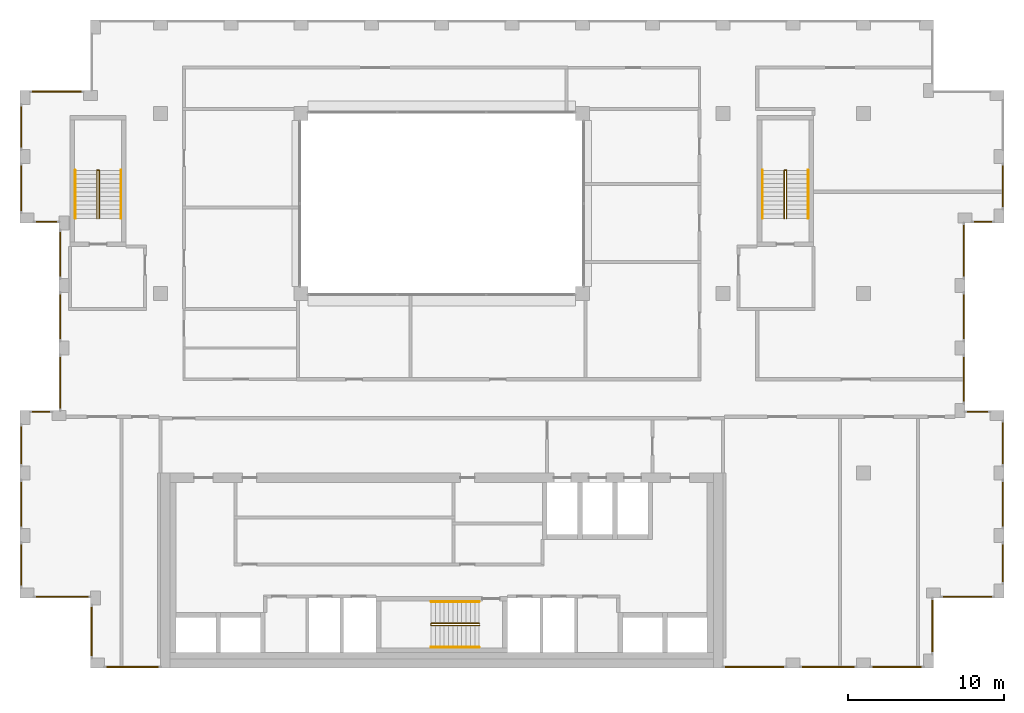
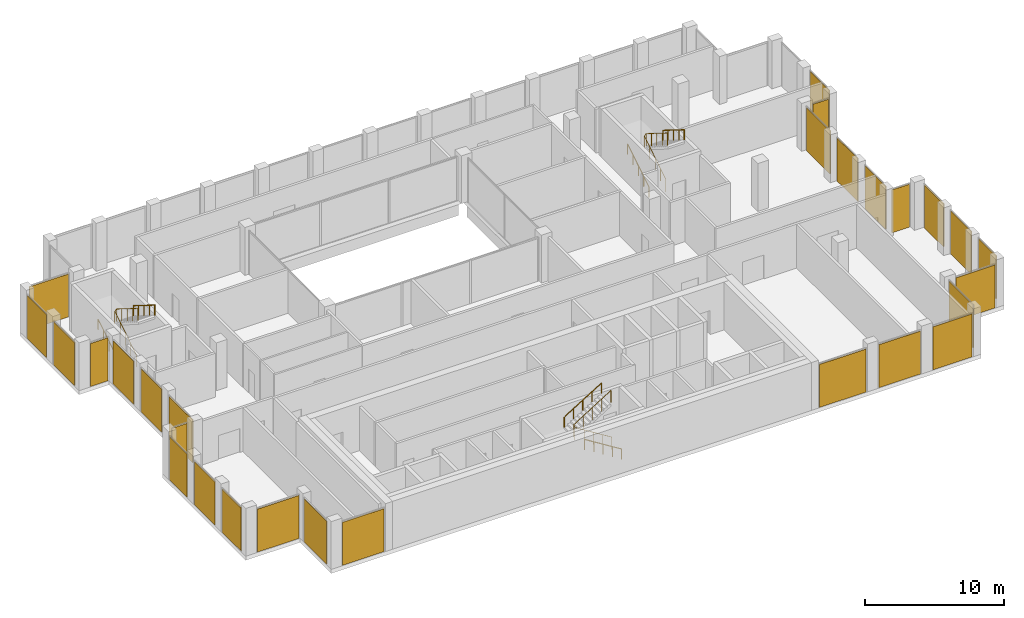
# One storey, part 14 of 15: 28 shading devices, 9 railings, 28 elements without a shape of their own.
"""IFC4 building model written with IfcOpenShell, lengths in metres."""

from ifc_helpers import new_model, si_unit, direction, frame, origin, origin_2d, place, context, subcontext, project, spatial, rectangle, circle, extrude, material, layer, layer_set, type_object, element, aggregate, save


model = new_model("IFC4")

# Units and contexts
model_context = context("Model", 3, precision=1e-05, world=origin(), true_north=direction((0.0, 1.0)))
body_context = subcontext(model_context, "Body", "Model", "MODEL_VIEW")
ifc_project = project(units=[si_unit("LENGTHUNIT", "METRE"), si_unit("AREAUNIT", "SQUARE_METRE"), si_unit("VOLUMEUNIT", "CUBIC_METRE"), si_unit("PLANEANGLEUNIT", "RADIAN"), si_unit("MASSUNIT", "GRAM", prefix="KILO")], contexts=[model_context])

# Site, building, storey
site_placement = place(None, origin())
site = spatial("IfcSite", under=ifc_project, at=site_placement, CompositionType="ELEMENT")
building_placement = place(site_placement, origin())
building = spatial("IfcBuilding", under=site, at=building_placement, Name="Brigalow Station Residences", CompositionType="ELEMENT")
storey_placement = place(building_placement, frame((0.0, 0.0, 235.800048828125)))
storey = spatial("IfcBuildingStorey", under=building, at=storey_placement, Name="L68", CompositionType="ELEMENT", Elevation=235.800048828125)

# Curtain wall, shading device
ifc_material_1 = material(Name="Aluminium", Category="aluminium")
ifc_layer_1 = layer(ifc_material_1, 0.14990234375)
ifc_layer_set_1 = layer_set([ifc_layer_1], Name="CROWN CURTAIN WALL")
curtain_wall_type = type_object("IfcCurtainWallType", Name="CROWN CURTAIN WALL", PredefinedType="NOTDEFINED", material=ifc_layer_set_1)
curtain_wall_1_placement = place(storey_placement, origin())
curtain_wall_1 = element("IfcCurtainWall", 1, at=curtain_wall_1_placement, inside=storey, type_object=curtain_wall_type, Name="L68/cw/crown-W-L68-1-1", PredefinedType="NOTDEFINED")
ifc_material_2 = material(Name="Aluminium louvre blade", Category="aluminium")
ifc_layer_2 = layer(ifc_material_2, 0.074951171875)
ifc_layer_set_2 = layer_set([ifc_layer_2], Name="CROWN LOUVRE BAND 75")
shading_device_type = type_object("IfcShadingDeviceType", Name="CROWN LOUVRE BAND 75", PredefinedType="JALOUSIE", material=ifc_layer_set_2)
shading_device_1_placement = place(storey_placement, frame((16.199951171875, 0.074951171875, 0.0), z_axis=(0.0, 0.0, 1.0), x_axis=(1.0, 0.0, 0.0)))
shading_device_1 = element("IfcShadingDevice", 2, at=shading_device_1_placement, type_object=shading_device_type, Name="LOUVRE BAND crown-W-L68-1-1", PredefinedType="JALOUSIE", context=body_context, shape_type="SweptSolid", body=[
    extrude(rectangle(XDim=3.449951171875, YDim=0.074951171875, at=origin_2d()), origin(), (0.0, 0.0, 1.0), 3.77490234375),
])
aggregate(curtain_wall_1, [shading_device_1])

curtain_wall_2_placement = place(storey_placement, origin())
curtain_wall_2 = element("IfcCurtainWall", 3, at=curtain_wall_2_placement, inside=storey, type_object=curtain_wall_type, Name="L68/cw/crown-W-L68-3-2", PredefinedType="NOTDEFINED")
shading_device_2_placement = place(storey_placement, frame((56.02490234375, 0.074951171875, 0.0), z_axis=(0.0, 0.0, 1.0), x_axis=(1.0, 0.0, 0.0)))
shading_device_2 = element("IfcShadingDevice", 4, at=shading_device_2_placement, type_object=shading_device_type, Name="LOUVRE BAND crown-W-L68-3-2", PredefinedType="JALOUSIE", context=body_context, shape_type="SweptSolid", body=[
    extrude(rectangle(XDim=3.89990234375, YDim=0.074951171875, at=origin_2d()), origin(), (0.0, 0.0, 1.0), 3.77490234375),
])
aggregate(curtain_wall_2, [shading_device_2])

curtain_wall_3_placement = place(storey_placement, origin())
curtain_wall_3 = element("IfcCurtainWall", 5, at=curtain_wall_3_placement, inside=storey, type_object=curtain_wall_type, Name="L68/cw/crown-W-L68-3-3", PredefinedType="NOTDEFINED")
shading_device_3_placement = place(storey_placement, frame((60.75, 0.074951171875, 0.0), z_axis=(0.0, 0.0, 1.0), x_axis=(1.0, 0.0, 0.0)))
shading_device_3 = element("IfcShadingDevice", 6, at=shading_device_3_placement, type_object=shading_device_type, Name="LOUVRE BAND crown-W-L68-3-3", PredefinedType="JALOUSIE", context=body_context, shape_type="SweptSolid", body=[
    extrude(rectangle(XDim=3.449951171875, YDim=0.074951171875, at=origin_2d()), origin(), (0.0, 0.0, 1.0), 3.77490234375),
])
aggregate(curtain_wall_3, [shading_device_3])

curtain_wall_4_placement = place(storey_placement, origin())
curtain_wall_4 = element("IfcCurtainWall", 7, at=curtain_wall_4_placement, inside=storey, type_object=curtain_wall_type, Name="L68/cw/crown-W-L68-3-4", PredefinedType="NOTDEFINED")
shading_device_4_placement = place(storey_placement, frame((65.14990234375, 0.074951171875, 0.0), z_axis=(0.0, 0.0, 1.0), x_axis=(1.0, 0.0, 0.0)))
shading_device_4 = element("IfcShadingDevice", 8, at=shading_device_4_placement, type_object=shading_device_type, Name="LOUVRE BAND crown-W-L68-3-4", PredefinedType="JALOUSIE", context=body_context, shape_type="SweptSolid", body=[
    extrude(rectangle(XDim=3.25, YDim=0.074951171875, at=origin_2d()), origin(), (0.0, 0.0, 1.0), 3.77490234375),
])
aggregate(curtain_wall_4, [shading_device_4])

curtain_wall_5_placement = place(storey_placement, origin())
curtain_wall_5 = element("IfcCurtainWall", 9, at=curtain_wall_5_placement, inside=storey, type_object=curtain_wall_type, Name="L68/cw/crown-W-L68-6-5", PredefinedType="NOTDEFINED")
shading_device_5_placement = place(storey_placement, frame((67.425048828125, 2.699951171875, 0.0), z_axis=(0.0, 0.0, 1.0), x_axis=(0.0, 1.0, 0.0)))
shading_device_5 = element("IfcShadingDevice", 10, at=shading_device_5_placement, type_object=shading_device_type, Name="LOUVRE BAND crown-W-L68-6-5", PredefinedType="JALOUSIE", context=body_context, shape_type="SweptSolid", body=[
    extrude(rectangle(XDim=3.449951171875, YDim=0.074951171875, at=origin_2d()), origin(), (0.0, 0.0, 1.0), 3.77490234375),
])
aggregate(curtain_wall_5, [shading_device_5])

curtain_wall_6_placement = place(storey_placement, origin())
curtain_wall_6 = element("IfcCurtainWall", 11, at=curtain_wall_6_placement, inside=storey, type_object=curtain_wall_type, Name="L68/cw/crown-W-L68-7-6", PredefinedType="NOTDEFINED")
shading_device_6_placement = place(storey_placement, frame((69.64990234375, 4.574951171875, 0.0), z_axis=(0.0, 0.0, 1.0), x_axis=(1.0, 0.0, 0.0)))
shading_device_6 = element("IfcShadingDevice", 12, at=shading_device_6_placement, type_object=shading_device_type, Name="LOUVRE BAND crown-W-L68-7-6", PredefinedType="JALOUSIE", context=body_context, shape_type="SweptSolid", body=[
    extrude(rectangle(XDim=3.25, YDim=0.074951171875, at=origin_2d()), origin(), (0.0, 0.0, 1.0), 3.77490234375),
])
aggregate(curtain_wall_6, [shading_device_6])

curtain_wall_7_placement = place(storey_placement, origin())
curtain_wall_7 = element("IfcCurtainWall", 13, at=curtain_wall_7_placement, inside=storey, type_object=curtain_wall_type, Name="L68/cw/crown-W-L68-8-7", PredefinedType="NOTDEFINED")
shading_device_7_placement = place(storey_placement, frame((71.925048828125, 6.72509765625, 0.0), z_axis=(0.0, 0.0, 1.0), x_axis=(0.0, 1.0, 0.0)))
shading_device_7 = element("IfcShadingDevice", 14, at=shading_device_7_placement, type_object=shading_device_type, Name="LOUVRE BAND crown-W-L68-8-7", PredefinedType="JALOUSIE", context=body_context, shape_type="SweptSolid", body=[
    extrude(rectangle(XDim=2.5, YDim=0.074951171875, at=origin_2d()), origin(), (0.0, 0.0, 1.0), 3.77490234375),
])
aggregate(curtain_wall_7, [shading_device_7])

curtain_wall_8_placement = place(storey_placement, origin())
curtain_wall_8 = element("IfcCurtainWall", 15, at=curtain_wall_8_placement, inside=storey, type_object=curtain_wall_type, Name="L68/cw/crown-W-L68-8-8", PredefinedType="NOTDEFINED")
shading_device_8_placement = place(storey_placement, frame((71.925048828125, 10.5, 0.0), z_axis=(0.0, 0.0, 1.0), x_axis=(0.0, 1.0, 0.0)))
shading_device_8 = element("IfcShadingDevice", 16, at=shading_device_8_placement, type_object=shading_device_type, Name="LOUVRE BAND crown-W-L68-8-8", PredefinedType="JALOUSIE", context=body_context, shape_type="SweptSolid", body=[
    extrude(rectangle(XDim=2.949951171875, YDim=0.074951171875, at=origin_2d()), origin(), (0.0, 0.0, 1.0), 3.77490234375),
])
aggregate(curtain_wall_8, [shading_device_8])

curtain_wall_9_placement = place(storey_placement, origin())
curtain_wall_9 = element("IfcCurtainWall", 17, at=curtain_wall_9_placement, inside=storey, type_object=curtain_wall_type, Name="L68/cw/crown-W-L68-8-9", PredefinedType="NOTDEFINED")
shading_device_9_placement = place(storey_placement, frame((71.925048828125, 14.39990234375, 0.0), z_axis=(0.0, 0.0, 1.0), x_axis=(0.0, 1.0, 0.0)))
shading_device_9 = element("IfcShadingDevice", 18, at=shading_device_9_placement, type_object=shading_device_type, Name="LOUVRE BAND crown-W-L68-8-9", PredefinedType="JALOUSIE", context=body_context, shape_type="SweptSolid", body=[
    extrude(rectangle(XDim=2.75, YDim=0.074951171875, at=origin_2d()), origin(), (0.0, 0.0, 1.0), 3.77490234375),
])
aggregate(curtain_wall_9, [shading_device_9])

curtain_wall_10_placement = place(storey_placement, origin())
curtain_wall_10 = element("IfcCurtainWall", 19, at=curtain_wall_10_placement, inside=storey, type_object=curtain_wall_type, Name="L68/cw/crown-W-L68-11-10", PredefinedType="NOTDEFINED")
shading_device_10_placement = place(storey_placement, frame((70.300048828125, 16.425048828125, 0.0), z_axis=(0.0, 0.0, 1.0), x_axis=(-1.0, 0.0, 0.0)))
shading_device_10 = element("IfcShadingDevice", 20, at=shading_device_10_placement, type_object=shading_device_type, Name="LOUVRE BAND crown-W-L68-11-10", PredefinedType="JALOUSIE", context=body_context, shape_type="SweptSolid", body=[
    extrude(rectangle(XDim=1.449951171875, YDim=0.074951171875, at=origin_2d()), origin(), (0.0, 0.0, 1.0), 3.77490234375),
])
aggregate(curtain_wall_10, [shading_device_10])

curtain_wall_11_placement = place(storey_placement, origin())
curtain_wall_11 = element("IfcCurtainWall", 21, at=curtain_wall_11_placement, inside=storey, type_object=curtain_wall_type, Name="L68/cw/crown-W-L68-12-11", PredefinedType="NOTDEFINED")
shading_device_11_placement = place(storey_placement, frame((69.425048828125, 18.5, 0.0), z_axis=(0.0, 0.0, 1.0), x_axis=(0.0, 1.0, 0.0)))
shading_device_11 = element("IfcShadingDevice", 22, at=shading_device_11_placement, type_object=shading_device_type, Name="LOUVRE BAND crown-W-L68-12-11", PredefinedType="JALOUSIE", context=body_context, shape_type="SweptSolid", body=[
    extrude(rectangle(XDim=2.949951171875, YDim=0.074951171875, at=origin_2d()), origin(), (0.0, 0.0, 1.0), 3.77490234375),
])
aggregate(curtain_wall_11, [shading_device_11])

curtain_wall_12_placement = place(storey_placement, origin())
curtain_wall_12 = element("IfcCurtainWall", 23, at=curtain_wall_12_placement, inside=storey, type_object=curtain_wall_type, Name="L68/cw/crown-W-L68-12-12", PredefinedType="NOTDEFINED")
shading_device_12_placement = place(storey_placement, frame((69.425048828125, 22.5, 0.0), z_axis=(0.0, 0.0, 1.0), x_axis=(0.0, 1.0, 0.0)))
shading_device_12 = element("IfcShadingDevice", 24, at=shading_device_12_placement, type_object=shading_device_type, Name="LOUVRE BAND crown-W-L68-12-12", PredefinedType="JALOUSIE", context=body_context, shape_type="SweptSolid", body=[
    extrude(rectangle(XDim=2.949951171875, YDim=0.074951171875, at=origin_2d()), origin(), (0.0, 0.0, 1.0), 3.77490234375),
])
aggregate(curtain_wall_12, [shading_device_12])

curtain_wall_13_placement = place(storey_placement, origin())
curtain_wall_13 = element("IfcCurtainWall", 25, at=curtain_wall_13_placement, inside=storey, type_object=curtain_wall_type, Name="L68/cw/crown-W-L68-12-13", PredefinedType="NOTDEFINED")
shading_device_13_placement = place(storey_placement, frame((69.425048828125, 26.72509765625, 0.0), z_axis=(0.0, 0.0, 1.0), x_axis=(0.0, 1.0, 0.0)))
shading_device_13 = element("IfcShadingDevice", 26, at=shading_device_13_placement, type_object=shading_device_type, Name="LOUVRE BAND crown-W-L68-12-13", PredefinedType="JALOUSIE", context=body_context, shape_type="SweptSolid", body=[
    extrude(rectangle(XDim=3.39990234375, YDim=0.074951171875, at=origin_2d()), origin(), (0.0, 0.0, 1.0), 3.77490234375),
])
aggregate(curtain_wall_13, [shading_device_13])

curtain_wall_14_placement = place(storey_placement, origin())
curtain_wall_14 = element("IfcCurtainWall", 27, at=curtain_wall_14_placement, inside=storey, type_object=curtain_wall_type, Name="L68/cw/crown-W-L68-15-14", PredefinedType="NOTDEFINED")
shading_device_14_placement = place(storey_placement, frame((70.64990234375, 28.574951171875, 0.0), z_axis=(0.0, 0.0, 1.0), x_axis=(1.0, 0.0, 0.0)))
shading_device_14 = element("IfcShadingDevice", 28, at=shading_device_14_placement, type_object=shading_device_type, Name="LOUVRE BAND crown-W-L68-15-14", PredefinedType="JALOUSIE", context=body_context, shape_type="SweptSolid", body=[
    extrude(rectangle(XDim=1.25, YDim=0.074951171875, at=origin_2d()), origin(), (0.0, 0.0, 1.0), 3.77490234375),
])
aggregate(curtain_wall_14, [shading_device_14])

curtain_wall_15_placement = place(storey_placement, origin())
curtain_wall_15 = element("IfcCurtainWall", 29, at=curtain_wall_15_placement, inside=storey, type_object=curtain_wall_type, Name="L68/cw/crown-W-L68-16-15", PredefinedType="NOTDEFINED")
shading_device_15_placement = place(storey_placement, frame((71.925048828125, 30.85009765625, 0.0), z_axis=(0.0, 0.0, 1.0), x_axis=(0.0, 1.0, 0.0)))
shading_device_15 = element("IfcShadingDevice", 30, at=shading_device_15_placement, type_object=shading_device_type, Name="LOUVRE BAND crown-W-L68-16-15", PredefinedType="JALOUSIE", context=body_context, shape_type="SweptSolid", body=[
    extrude(rectangle(XDim=2.75, YDim=0.074951171875, at=origin_2d()), origin(), (0.0, 0.0, 1.0), 3.77490234375),
])
aggregate(curtain_wall_15, [shading_device_15])

curtain_wall_16_placement = place(storey_placement, origin())
curtain_wall_16 = element("IfcCurtainWall", 31, at=curtain_wall_16_placement, inside=storey, type_object=curtain_wall_type, Name="L68/cw/crown-W-L68-33-32", PredefinedType="NOTDEFINED")
shading_device_16_placement = place(storey_placement, frame((11.35009765625, 36.925048828125, 0.0), z_axis=(0.0, 0.0, 1.0), x_axis=(-1.0, 0.0, 0.0)))
shading_device_16 = element("IfcShadingDevice", 32, at=shading_device_16_placement, type_object=shading_device_type, Name="LOUVRE BAND crown-W-L68-33-32", PredefinedType="JALOUSIE", context=body_context, shape_type="SweptSolid", body=[
    extrude(rectangle(XDim=3.25, YDim=0.074951171875, at=origin_2d()), origin(), (0.0, 0.0, 1.0), 3.77490234375),
])
aggregate(curtain_wall_16, [shading_device_16])

curtain_wall_17_placement = place(storey_placement, origin())
curtain_wall_17 = element("IfcCurtainWall", 33, at=curtain_wall_17_placement, inside=storey, type_object=curtain_wall_type, Name="L68/cw/crown-W-L68-34-33", PredefinedType="NOTDEFINED")
shading_device_17_placement = place(storey_placement, frame((9.074951171875, 34.64990234375, 0.0), z_axis=(0.0, 0.0, 1.0), x_axis=(0.0, -1.0, 0.0)))
shading_device_17 = element("IfcShadingDevice", 34, at=shading_device_17_placement, type_object=shading_device_type, Name="LOUVRE BAND crown-W-L68-34-33", PredefinedType="JALOUSIE", context=body_context, shape_type="SweptSolid", body=[
    extrude(rectangle(XDim=2.75, YDim=0.074951171875, at=origin_2d()), origin(), (0.0, 0.0, 1.0), 3.77490234375),
])
aggregate(curtain_wall_17, [shading_device_17])

curtain_wall_18_placement = place(storey_placement, origin())
curtain_wall_18 = element("IfcCurtainWall", 35, at=curtain_wall_18_placement, inside=storey, type_object=curtain_wall_type, Name="L68/cw/crown-W-L68-34-34", PredefinedType="NOTDEFINED")
shading_device_18_placement = place(storey_placement, frame((9.074951171875, 30.72509765625, 0.0), z_axis=(0.0, 0.0, 1.0), x_axis=(0.0, -1.0, 0.0)))
shading_device_18 = element("IfcShadingDevice", 36, at=shading_device_18_placement, type_object=shading_device_type, Name="LOUVRE BAND crown-W-L68-34-34", PredefinedType="JALOUSIE", context=body_context, shape_type="SweptSolid", body=[
    extrude(rectangle(XDim=3.0, YDim=0.074951171875, at=origin_2d()), origin(), (0.0, 0.0, 1.0), 3.77490234375),
])
aggregate(curtain_wall_18, [shading_device_18])

curtain_wall_19_placement = place(storey_placement, origin())
curtain_wall_19 = element("IfcCurtainWall", 37, at=curtain_wall_19_placement, inside=storey, type_object=curtain_wall_type, Name="L68/cw/crown-W-L68-36-35", PredefinedType="NOTDEFINED")
shading_device_19_placement = place(storey_placement, frame((10.699951171875, 28.574951171875, 0.0), z_axis=(0.0, 0.0, 1.0), x_axis=(1.0, 0.0, 0.0)))
shading_device_19 = element("IfcShadingDevice", 38, at=shading_device_19_placement, type_object=shading_device_type, Name="LOUVRE BAND crown-W-L68-36-35", PredefinedType="JALOUSIE", context=body_context, shape_type="SweptSolid", body=[
    extrude(rectangle(XDim=1.449951171875, YDim=0.074951171875, at=origin_2d()), origin(), (0.0, 0.0, 1.0), 3.77490234375),
])
aggregate(curtain_wall_19, [shading_device_19])

curtain_wall_20_placement = place(storey_placement, origin())
curtain_wall_20 = element("IfcCurtainWall", 39, at=curtain_wall_20_placement, inside=storey, type_object=curtain_wall_type, Name="L68/cw/crown-W-L68-37-36", PredefinedType="NOTDEFINED")
shading_device_20_placement = place(storey_placement, frame((11.574951171875, 26.5, 0.0), z_axis=(0.0, 0.0, 1.0), x_axis=(0.0, -1.0, 0.0)))
shading_device_20 = element("IfcShadingDevice", 40, at=shading_device_20_placement, type_object=shading_device_type, Name="LOUVRE BAND crown-W-L68-37-36", PredefinedType="JALOUSIE", context=body_context, shape_type="SweptSolid", body=[
    extrude(rectangle(XDim=2.949951171875, YDim=0.074951171875, at=origin_2d()), origin(), (0.0, 0.0, 1.0), 3.77490234375),
])
aggregate(curtain_wall_20, [shading_device_20])

curtain_wall_21_placement = place(storey_placement, origin())
curtain_wall_21 = element("IfcCurtainWall", 41, at=curtain_wall_21_placement, inside=storey, type_object=curtain_wall_type, Name="L68/cw/crown-W-L68-37-37", PredefinedType="NOTDEFINED")
shading_device_21_placement = place(storey_placement, frame((11.574951171875, 22.5, 0.0), z_axis=(0.0, 0.0, 1.0), x_axis=(0.0, -1.0, 0.0)))
shading_device_21 = element("IfcShadingDevice", 42, at=shading_device_21_placement, type_object=shading_device_type, Name="LOUVRE BAND crown-W-L68-37-37", PredefinedType="JALOUSIE", context=body_context, shape_type="SweptSolid", body=[
    extrude(rectangle(XDim=2.949951171875, YDim=0.074951171875, at=origin_2d()), origin(), (0.0, 0.0, 1.0), 3.77490234375),
])
aggregate(curtain_wall_21, [shading_device_21])

curtain_wall_22_placement = place(storey_placement, origin())
curtain_wall_22 = element("IfcCurtainWall", 43, at=curtain_wall_22_placement, inside=storey, type_object=curtain_wall_type, Name="L68/cw/crown-W-L68-37-38", PredefinedType="NOTDEFINED")
shading_device_22_placement = place(storey_placement, frame((11.574951171875, 18.27490234375, 0.0), z_axis=(0.0, 0.0, 1.0), x_axis=(0.0, -1.0, 0.0)))
shading_device_22 = element("IfcShadingDevice", 44, at=shading_device_22_placement, type_object=shading_device_type, Name="LOUVRE BAND crown-W-L68-37-38", PredefinedType="JALOUSIE", context=body_context, shape_type="SweptSolid", body=[
    extrude(rectangle(XDim=3.39990234375, YDim=0.074951171875, at=origin_2d()), origin(), (0.0, 0.0, 1.0), 3.77490234375),
])
aggregate(curtain_wall_22, [shading_device_22])

curtain_wall_23_placement = place(storey_placement, origin())
curtain_wall_23 = element("IfcCurtainWall", 45, at=curtain_wall_23_placement, inside=storey, type_object=curtain_wall_type, Name="L68/cw/crown-W-L68-40-39", PredefinedType="NOTDEFINED")
shading_device_23_placement = place(storey_placement, frame((10.35009765625, 16.425048828125, 0.0), z_axis=(0.0, 0.0, 1.0), x_axis=(-1.0, 0.0, 0.0)))
shading_device_23 = element("IfcShadingDevice", 46, at=shading_device_23_placement, type_object=shading_device_type, Name="LOUVRE BAND crown-W-L68-40-39", PredefinedType="JALOUSIE", context=body_context, shape_type="SweptSolid", body=[
    extrude(rectangle(XDim=1.25, YDim=0.074951171875, at=origin_2d()), origin(), (0.0, 0.0, 1.0), 3.77490234375),
])
aggregate(curtain_wall_23, [shading_device_23])

curtain_wall_24_placement = place(storey_placement, origin())
curtain_wall_24 = element("IfcCurtainWall", 47, at=curtain_wall_24_placement, inside=storey, type_object=curtain_wall_type, Name="L68/cw/crown-W-L68-41-40", PredefinedType="NOTDEFINED")
shading_device_24_placement = place(storey_placement, frame((9.074951171875, 14.27490234375, 0.0), z_axis=(0.0, 0.0, 1.0), x_axis=(0.0, -1.0, 0.0)))
shading_device_24 = element("IfcShadingDevice", 48, at=shading_device_24_placement, type_object=shading_device_type, Name="LOUVRE BAND crown-W-L68-41-40", PredefinedType="JALOUSIE", context=body_context, shape_type="SweptSolid", body=[
    extrude(rectangle(XDim=2.5, YDim=0.074951171875, at=origin_2d()), origin(), (0.0, 0.0, 1.0), 3.77490234375),
])
aggregate(curtain_wall_24, [shading_device_24])

curtain_wall_25_placement = place(storey_placement, origin())
curtain_wall_25 = element("IfcCurtainWall", 49, at=curtain_wall_25_placement, inside=storey, type_object=curtain_wall_type, Name="L68/cw/crown-W-L68-41-41", PredefinedType="NOTDEFINED")
shading_device_25_placement = place(storey_placement, frame((9.074951171875, 10.5, 0.0), z_axis=(0.0, 0.0, 1.0), x_axis=(0.0, -1.0, 0.0)))
shading_device_25 = element("IfcShadingDevice", 50, at=shading_device_25_placement, type_object=shading_device_type, Name="LOUVRE BAND crown-W-L68-41-41", PredefinedType="JALOUSIE", context=body_context, shape_type="SweptSolid", body=[
    extrude(rectangle(XDim=2.949951171875, YDim=0.074951171875, at=origin_2d()), origin(), (0.0, 0.0, 1.0), 3.77490234375),
])
aggregate(curtain_wall_25, [shading_device_25])

curtain_wall_26_placement = place(storey_placement, origin())
curtain_wall_26 = element("IfcCurtainWall", 51, at=curtain_wall_26_placement, inside=storey, type_object=curtain_wall_type, Name="L68/cw/crown-W-L68-41-42", PredefinedType="NOTDEFINED")
shading_device_26_placement = place(storey_placement, frame((9.074951171875, 6.60009765625, 0.0), z_axis=(0.0, 0.0, 1.0), x_axis=(0.0, -1.0, 0.0)))
shading_device_26 = element("IfcShadingDevice", 52, at=shading_device_26_placement, type_object=shading_device_type, Name="LOUVRE BAND crown-W-L68-41-42", PredefinedType="JALOUSIE", context=body_context, shape_type="SweptSolid", body=[
    extrude(rectangle(XDim=2.75, YDim=0.074951171875, at=origin_2d()), origin(), (0.0, 0.0, 1.0), 3.77490234375),
])
aggregate(curtain_wall_26, [shading_device_26])

curtain_wall_27_placement = place(storey_placement, origin())
curtain_wall_27 = element("IfcCurtainWall", 53, at=curtain_wall_27_placement, inside=storey, type_object=curtain_wall_type, Name="L68/cw/crown-W-L68-44-43", PredefinedType="NOTDEFINED")
shading_device_27_placement = place(storey_placement, frame((11.699951171875, 4.574951171875, 0.0), z_axis=(0.0, 0.0, 1.0), x_axis=(1.0, 0.0, 0.0)))
shading_device_27 = element("IfcShadingDevice", 54, at=shading_device_27_placement, type_object=shading_device_type, Name="LOUVRE BAND crown-W-L68-44-43", PredefinedType="JALOUSIE", context=body_context, shape_type="SweptSolid", body=[
    extrude(rectangle(XDim=3.449951171875, YDim=0.074951171875, at=origin_2d()), origin(), (0.0, 0.0, 1.0), 3.77490234375),
])
aggregate(curtain_wall_27, [shading_device_27])

curtain_wall_28_placement = place(storey_placement, origin())
curtain_wall_28 = element("IfcCurtainWall", 55, at=curtain_wall_28_placement, inside=storey, type_object=curtain_wall_type, Name="L68/cw/crown-W-L68-45-44", PredefinedType="NOTDEFINED")
shading_device_28_placement = place(storey_placement, frame((13.574951171875, 2.35009765625, 0.0), z_axis=(0.0, 0.0, 1.0), x_axis=(0.0, -1.0, 0.0)))
shading_device_28 = element("IfcShadingDevice", 56, at=shading_device_28_placement, type_object=shading_device_type, Name="LOUVRE BAND crown-W-L68-45-44", PredefinedType="JALOUSIE", context=body_context, shape_type="SweptSolid", body=[
    extrude(rectangle(XDim=3.25, YDim=0.074951171875, at=origin_2d()), origin(), (0.0, 0.0, 1.0), 3.77490234375),
])
aggregate(curtain_wall_28, [shading_device_28])

# Railings
ifc_material_3 = material(Name="Stainless steel balustrade", Category="steel")
railing_type_1 = type_object("IfcRailingType", Name="STAIR GUARD 1100", PredefinedType="GUARDRAIL", material=ifc_material_3)
railing_1_placement = place(storey_placement, frame((38.39990234375, 2.72998046875, 0.175048828125)))
element("IfcRailing", 57, at=railing_1_placement, inside=storey, type_object=railing_type_1, Name="GUARD GR-2", PredefinedType="GUARDRAIL", context=body_context, shape_type="SweptSolid", body=[
    extrude(circle(Radius=0.02392578125, at=origin_2d()), frame((0.0, 0.0, 1.076171875), z_axis=(-0.848009633417, 0.0, 0.529980812513), x_axis=(0.0, -1.0, 0.0)), (0.0, 0.0, 1.0), 3.6318359375),
    extrude(circle(Radius=0.02392578125, at=origin_2d()), frame((-3.079833984375, 0.0, 3.0009765625), z_axis=(0.0, 0.624960567888, 0.780656319122), x_axis=(-1.0, 0.0, 0.0)), (0.0, 0.0, 1.0), 0.22412109375),
    extrude(circle(Radius=0.02392578125, at=origin_2d()), frame((-3.079833984375, 0.14013671875, 3.17578125), z_axis=(0.847979421464, 0.0, 0.530029150871), x_axis=(0.0, 1.0, 0.0)), (0.0, 0.0, 1.0), 3.632080078125),
    extrude(circle(Radius=0.02099609375, at=origin_2d()), origin(), (0.0, 0.0, 1.0), 1.052001953125),
    extrude(circle(Radius=0.02099609375, at=origin_2d()), frame((-0.77001953125, 0.0, 0.481201171875)), (0.0, 0.0, 1.0), 1.052001953125),
    extrude(circle(Radius=0.02099609375, at=origin_2d()), frame((-1.5400390625, 0.0, 0.96240234375)), (0.0, 0.0, 1.0), 1.052001953125),
    extrude(circle(Radius=0.02099609375, at=origin_2d()), frame((-2.309814453125, 0.0, 1.443603515625)), (0.0, 0.0, 1.0), 1.052001953125),
    extrude(circle(Radius=0.02099609375, at=origin_2d()), frame((-3.079833984375, 0.0, 1.9248046875)), (0.0, 0.0, 1.0), 1.052001953125),
    extrude(circle(Radius=0.02099609375, at=origin_2d()), frame((-3.079833984375, 0.14013671875, 2.099853515625)), (0.0, 0.0, 1.0), 1.052001953125),
    extrude(circle(Radius=0.02099609375, at=origin_2d()), frame((-2.309814453125, 0.14013671875, 2.5810546875)), (0.0, 0.0, 1.0), 1.052001953125),
    extrude(circle(Radius=0.02099609375, at=origin_2d()), frame((-1.5400390625, 0.14013671875, 3.0625)), (0.0, 0.0, 1.0), 1.052001953125),
    extrude(circle(Radius=0.02099609375, at=origin_2d()), frame((-0.77001953125, 0.14013671875, 3.543701171875)), (0.0, 0.0, 1.0), 1.052001953125),
    extrude(circle(Radius=0.02099609375, at=origin_2d()), frame((0.0, 0.14013671875, 4.02490234375)), (0.0, 0.0, 1.0), 1.052001953125),
])
railing_2_placement = place(storey_placement, frame((13.929931640625, 28.800048828125, 0.175048828125)))
element("IfcRailing", 58, at=railing_2_placement, inside=storey, type_object=railing_type_1, Name="GUARD GR-1", PredefinedType="GUARDRAIL", context=body_context, shape_type="SweptSolid", body=[
    extrude(circle(Radius=0.02392578125, at=origin_2d()), frame((0.0, 0.0, 1.076171875), z_axis=(0.0, 0.848009633417, 0.529980812513), x_axis=(-1.0, 0.0, 0.0)), (0.0, 0.0, 1.0), 3.6318359375),
    extrude(circle(Radius=0.02392578125, at=origin_2d()), frame((0.0, 3.079833984375, 3.0009765625), z_axis=(0.624960567888, 0.0, 0.780656319122), x_axis=(0.0, 1.0, 0.0)), (0.0, 0.0, 1.0), 0.22412109375),
    extrude(circle(Radius=0.02392578125, at=origin_2d()), frame((0.14013671875, 3.079833984375, 3.17578125), z_axis=(0.0, -0.847979421464, 0.530029150871), x_axis=(1.0, 0.0, 0.0)), (0.0, 0.0, 1.0), 3.632080078125),
    extrude(circle(Radius=0.02099609375, at=origin_2d()), origin(), (0.0, 0.0, 1.0), 1.052001953125),
    extrude(circle(Radius=0.02099609375, at=origin_2d()), frame((0.0, 0.77001953125, 0.481201171875)), (0.0, 0.0, 1.0), 1.052001953125),
    extrude(circle(Radius=0.02099609375, at=origin_2d()), frame((0.0, 1.5400390625, 0.96240234375)), (0.0, 0.0, 1.0), 1.052001953125),
    extrude(circle(Radius=0.02099609375, at=origin_2d()), frame((0.0, 2.309814453125, 1.443603515625)), (0.0, 0.0, 1.0), 1.052001953125),
    extrude(circle(Radius=0.02099609375, at=origin_2d()), frame((0.0, 3.079833984375, 1.9248046875)), (0.0, 0.0, 1.0), 1.052001953125),
    extrude(circle(Radius=0.02099609375, at=origin_2d()), frame((0.14013671875, 3.079833984375, 2.099853515625)), (0.0, 0.0, 1.0), 1.052001953125),
    extrude(circle(Radius=0.02099609375, at=origin_2d()), frame((0.14013671875, 2.309814453125, 2.5810546875)), (0.0, 0.0, 1.0), 1.052001953125),
    extrude(circle(Radius=0.02099609375, at=origin_2d()), frame((0.14013671875, 1.5400390625, 3.0625)), (0.0, 0.0, 1.0), 1.052001953125),
    extrude(circle(Radius=0.02099609375, at=origin_2d()), frame((0.14013671875, 0.77001953125, 3.543701171875)), (0.0, 0.0, 1.0), 1.052001953125),
    extrude(circle(Radius=0.02099609375, at=origin_2d()), frame((0.14013671875, 0.0, 4.02490234375)), (0.0, 0.0, 1.0), 1.052001953125),
])
railing_3_placement = place(storey_placement, frame((57.929931640625, 28.800048828125, 0.175048828125)))
element("IfcRailing", 59, at=railing_3_placement, inside=storey, type_object=railing_type_1, Name="GUARD GR-3", PredefinedType="GUARDRAIL", context=body_context, shape_type="SweptSolid", body=[
    extrude(circle(Radius=0.02392578125, at=origin_2d()), frame((0.0, 0.0, 1.076171875), z_axis=(0.0, 0.848009633417, 0.529980812513), x_axis=(-1.0, 0.0, 0.0)), (0.0, 0.0, 1.0), 3.6318359375),
    extrude(circle(Radius=0.02392578125, at=origin_2d()), frame((0.0, 3.079833984375, 3.0009765625), z_axis=(0.624960567888, 0.0, 0.780656319122), x_axis=(0.0, 1.0, 0.0)), (0.0, 0.0, 1.0), 0.22412109375),
    extrude(circle(Radius=0.02392578125, at=origin_2d()), frame((0.14013671875, 3.079833984375, 3.17578125), z_axis=(0.0, -0.847979421464, 0.530029150871), x_axis=(1.0, 0.0, 0.0)), (0.0, 0.0, 1.0), 3.632080078125),
    extrude(circle(Radius=0.02099609375, at=origin_2d()), origin(), (0.0, 0.0, 1.0), 1.052001953125),
    extrude(circle(Radius=0.02099609375, at=origin_2d()), frame((0.0, 0.77001953125, 0.481201171875)), (0.0, 0.0, 1.0), 1.052001953125),
    extrude(circle(Radius=0.02099609375, at=origin_2d()), frame((0.0, 1.5400390625, 0.96240234375)), (0.0, 0.0, 1.0), 1.052001953125),
    extrude(circle(Radius=0.02099609375, at=origin_2d()), frame((0.0, 2.309814453125, 1.443603515625)), (0.0, 0.0, 1.0), 1.052001953125),
    extrude(circle(Radius=0.02099609375, at=origin_2d()), frame((0.0, 3.079833984375, 1.9248046875)), (0.0, 0.0, 1.0), 1.052001953125),
    extrude(circle(Radius=0.02099609375, at=origin_2d()), frame((0.14013671875, 3.079833984375, 2.099853515625)), (0.0, 0.0, 1.0), 1.052001953125),
    extrude(circle(Radius=0.02099609375, at=origin_2d()), frame((0.14013671875, 2.309814453125, 2.5810546875)), (0.0, 0.0, 1.0), 1.052001953125),
    extrude(circle(Radius=0.02099609375, at=origin_2d()), frame((0.14013671875, 1.5400390625, 3.0625)), (0.0, 0.0, 1.0), 1.052001953125),
    extrude(circle(Radius=0.02099609375, at=origin_2d()), frame((0.14013671875, 0.77001953125, 3.543701171875)), (0.0, 0.0, 1.0), 1.052001953125),
    extrude(circle(Radius=0.02099609375, at=origin_2d()), frame((0.14013671875, 0.0, 4.02490234375)), (0.0, 0.0, 1.0), 1.052001953125),
])
ifc_material_4 = material(Name="Stainless steel handrail", Category="steel")
railing_type_2 = type_object("IfcRailingType", Name="STAIR HANDRAIL 900", PredefinedType="HANDRAIL", material=ifc_material_4)
railing_4_placement = place(storey_placement, frame((38.39990234375, 1.340087890625, 0.175048828125)))
element("IfcRailing", 60, at=railing_4_placement, inside=storey, type_object=railing_type_2, Name="HANDRAIL HR-21", PredefinedType="HANDRAIL", context=body_context, shape_type="SweptSolid", body=[
    extrude(circle(Radius=0.02392578125, at=origin_2d()), frame((0.0, 0.0, 0.8759765625), z_axis=(-0.848009633417, 0.0, 0.529980812513), x_axis=(0.0, -1.0, 0.0)), (0.0, 0.0, 1.0), 3.6318359375),
    extrude(circle(Radius=0.02099609375, at=origin_2d()), origin(), (0.0, 0.0, 1.0), 0.851806640625),
    extrude(circle(Radius=0.02099609375, at=origin_2d()), frame((-0.77001953125, 0.0, 0.481201171875)), (0.0, 0.0, 1.0), 0.851806640625),
    extrude(circle(Radius=0.02099609375, at=origin_2d()), frame((-1.5400390625, 0.0, 0.96240234375)), (0.0, 0.0, 1.0), 0.851806640625),
    extrude(circle(Radius=0.02099609375, at=origin_2d()), frame((-2.309814453125, 0.0, 1.443603515625)), (0.0, 0.0, 1.0), 0.851806640625),
    extrude(circle(Radius=0.02099609375, at=origin_2d()), frame((-3.079833984375, 0.0, 1.9248046875)), (0.0, 0.0, 1.0), 0.851806640625),
])
railing_5_placement = place(storey_placement, frame((35.320068359375, 4.260009765625, 2.27490234375)))
element("IfcRailing", 61, at=railing_5_placement, inside=storey, type_object=railing_type_2, Name="HANDRAIL HR-22", PredefinedType="HANDRAIL", context=body_context, shape_type="SweptSolid", body=[
    extrude(circle(Radius=0.02392578125, at=origin_2d()), frame((0.0, 0.0, 0.8759765625), z_axis=(0.847979421464, 0.0, 0.530029150871), x_axis=(0.0, 1.0, 0.0)), (0.0, 0.0, 1.0), 3.632080078125),
    extrude(circle(Radius=0.02099609375, at=origin_2d()), origin(), (0.0, 0.0, 1.0), 0.851806640625),
    extrude(circle(Radius=0.02099609375, at=origin_2d()), frame((0.77001953125, 0.0, 0.481201171875)), (0.0, 0.0, 1.0), 0.851806640625),
    extrude(circle(Radius=0.02099609375, at=origin_2d()), frame((1.5400390625, 0.0, 0.96240234375)), (0.0, 0.0, 1.0), 0.851806640625),
    extrude(circle(Radius=0.02099609375, at=origin_2d()), frame((2.309814453125, 0.0, 1.44384765625)), (0.0, 0.0, 1.0), 0.851806640625),
    extrude(circle(Radius=0.02099609375, at=origin_2d()), frame((3.079833984375, 0.0, 1.925048828125)), (0.0, 0.0, 1.0), 0.851806640625),
])
railing_6_placement = place(storey_placement, frame((12.5400390625, 28.800048828125, 0.175048828125)))
element("IfcRailing", 62, at=railing_6_placement, inside=storey, type_object=railing_type_2, Name="HANDRAIL HR-11", PredefinedType="HANDRAIL", context=body_context, shape_type="SweptSolid", body=[
    extrude(circle(Radius=0.02392578125, at=origin_2d()), frame((0.0, 0.0, 0.8759765625), z_axis=(0.0, 0.848009633417, 0.529980812513), x_axis=(-1.0, 0.0, 0.0)), (0.0, 0.0, 1.0), 3.6318359375),
    extrude(circle(Radius=0.02099609375, at=origin_2d()), origin(), (0.0, 0.0, 1.0), 0.851806640625),
    extrude(circle(Radius=0.02099609375, at=origin_2d()), frame((0.0, 0.77001953125, 0.481201171875)), (0.0, 0.0, 1.0), 0.851806640625),
    extrude(circle(Radius=0.02099609375, at=origin_2d()), frame((0.0, 1.5400390625, 0.96240234375)), (0.0, 0.0, 1.0), 0.851806640625),
    extrude(circle(Radius=0.02099609375, at=origin_2d()), frame((0.0, 2.309814453125, 1.443603515625)), (0.0, 0.0, 1.0), 0.851806640625),
    extrude(circle(Radius=0.02099609375, at=origin_2d()), frame((0.0, 3.079833984375, 1.9248046875)), (0.0, 0.0, 1.0), 0.851806640625),
])
railing_7_placement = place(storey_placement, frame((15.4599609375, 31.8798828125, 2.27490234375)))
element("IfcRailing", 63, at=railing_7_placement, inside=storey, type_object=railing_type_2, Name="HANDRAIL HR-12", PredefinedType="HANDRAIL", context=body_context, shape_type="SweptSolid", body=[
    extrude(circle(Radius=0.02392578125, at=origin_2d()), frame((0.0, 0.0, 0.8759765625), z_axis=(0.0, -0.847979421464, 0.530029150871), x_axis=(1.0, 0.0, 0.0)), (0.0, 0.0, 1.0), 3.632080078125),
    extrude(circle(Radius=0.02099609375, at=origin_2d()), origin(), (0.0, 0.0, 1.0), 0.851806640625),
    extrude(circle(Radius=0.02099609375, at=origin_2d()), frame((0.0, -0.77001953125, 0.481201171875)), (0.0, 0.0, 1.0), 0.851806640625),
    extrude(circle(Radius=0.02099609375, at=origin_2d()), frame((0.0, -1.5400390625, 0.96240234375)), (0.0, 0.0, 1.0), 0.851806640625),
    extrude(circle(Radius=0.02099609375, at=origin_2d()), frame((0.0, -2.309814453125, 1.44384765625)), (0.0, 0.0, 1.0), 0.851806640625),
    extrude(circle(Radius=0.02099609375, at=origin_2d()), frame((0.0, -3.079833984375, 1.925048828125)), (0.0, 0.0, 1.0), 0.851806640625),
])
railing_8_placement = place(storey_placement, frame((56.5400390625, 28.800048828125, 0.175048828125)))
element("IfcRailing", 64, at=railing_8_placement, inside=storey, type_object=railing_type_2, Name="HANDRAIL HR-31", PredefinedType="HANDRAIL", context=body_context, shape_type="SweptSolid", body=[
    extrude(circle(Radius=0.02392578125, at=origin_2d()), frame((0.0, 0.0, 0.8759765625), z_axis=(0.0, 0.848009633417, 0.529980812513), x_axis=(-1.0, 0.0, 0.0)), (0.0, 0.0, 1.0), 3.6318359375),
    extrude(circle(Radius=0.02099609375, at=origin_2d()), origin(), (0.0, 0.0, 1.0), 0.851806640625),
    extrude(circle(Radius=0.02099609375, at=origin_2d()), frame((0.0, 0.77001953125, 0.481201171875)), (0.0, 0.0, 1.0), 0.851806640625),
    extrude(circle(Radius=0.02099609375, at=origin_2d()), frame((0.0, 1.5400390625, 0.96240234375)), (0.0, 0.0, 1.0), 0.851806640625),
    extrude(circle(Radius=0.02099609375, at=origin_2d()), frame((0.0, 2.309814453125, 1.443603515625)), (0.0, 0.0, 1.0), 0.851806640625),
    extrude(circle(Radius=0.02099609375, at=origin_2d()), frame((0.0, 3.079833984375, 1.9248046875)), (0.0, 0.0, 1.0), 0.851806640625),
])
railing_9_placement = place(storey_placement, frame((59.4599609375, 31.8798828125, 2.27490234375)))
element("IfcRailing", 65, at=railing_9_placement, inside=storey, type_object=railing_type_2, Name="HANDRAIL HR-32", PredefinedType="HANDRAIL", context=body_context, shape_type="SweptSolid", body=[
    extrude(circle(Radius=0.02392578125, at=origin_2d()), frame((0.0, 0.0, 0.8759765625), z_axis=(0.0, -0.847979421464, 0.530029150871), x_axis=(1.0, 0.0, 0.0)), (0.0, 0.0, 1.0), 3.632080078125),
    extrude(circle(Radius=0.02099609375, at=origin_2d()), origin(), (0.0, 0.0, 1.0), 0.851806640625),
    extrude(circle(Radius=0.02099609375, at=origin_2d()), frame((0.0, -0.77001953125, 0.481201171875)), (0.0, 0.0, 1.0), 0.851806640625),
    extrude(circle(Radius=0.02099609375, at=origin_2d()), frame((0.0, -1.5400390625, 0.96240234375)), (0.0, 0.0, 1.0), 0.851806640625),
    extrude(circle(Radius=0.02099609375, at=origin_2d()), frame((0.0, -2.309814453125, 1.44384765625)), (0.0, 0.0, 1.0), 0.851806640625),
    extrude(circle(Radius=0.02099609375, at=origin_2d()), frame((0.0, -3.079833984375, 1.925048828125)), (0.0, 0.0, 1.0), 0.851806640625),
])

save(model, "model.ifc")
